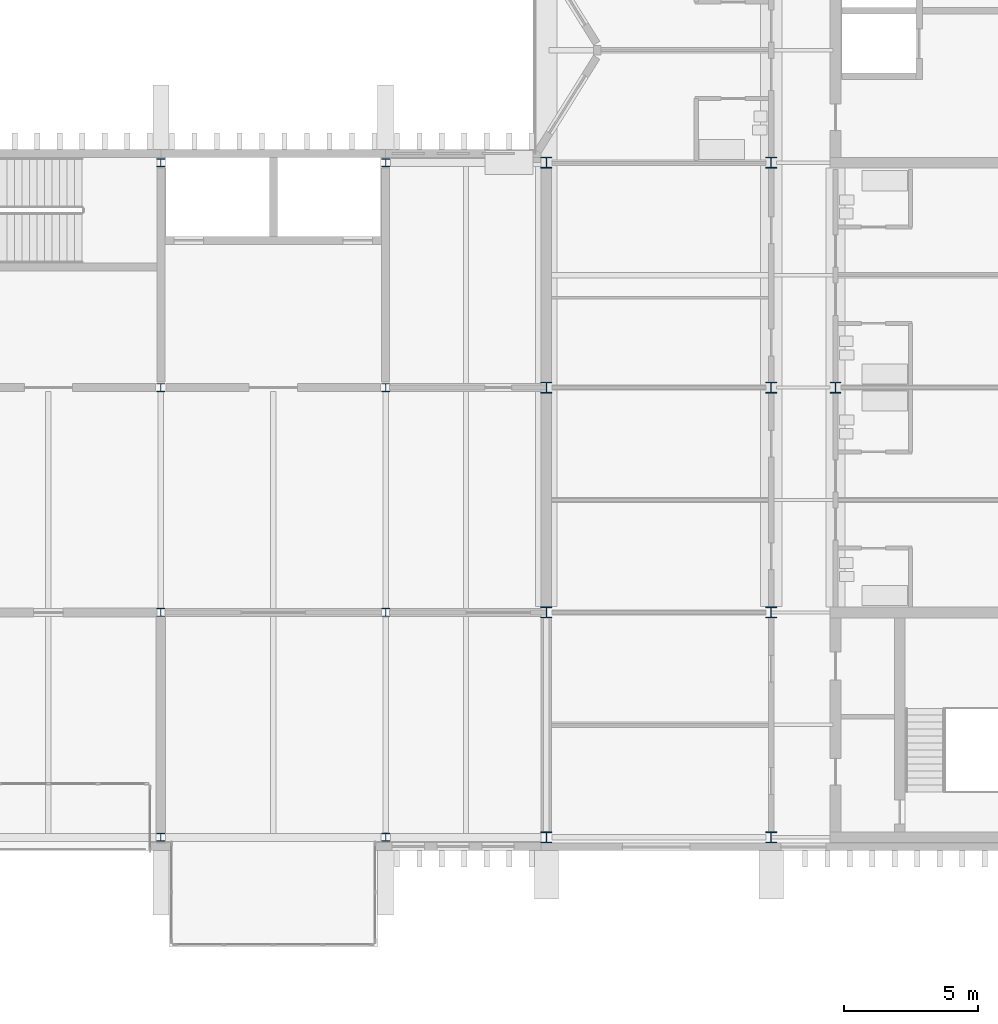
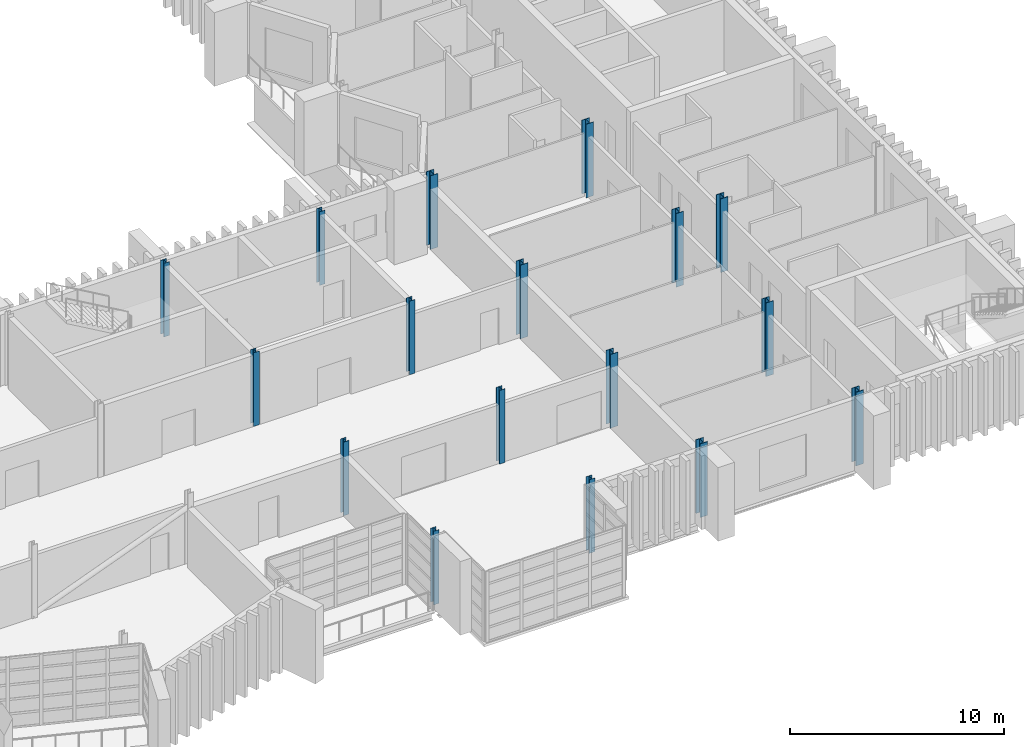
# One storey, part 9 of 100: 17 columns.
"""IFC4 building model written with IfcOpenShell, lengths in metres."""

from ifc_helpers import new_model, si_unit, direction, frame, origin, origin_2d, place, context, subcontext, project, spatial, i_section, extrude, material, material_profile, profile_set, type_object, element, save


model = new_model("IFC4")

# Units and contexts
model_context = context("Model", 3, precision=1e-05, world=origin(), true_north=direction((0.0, 1.0)))
body_context = subcontext(model_context, "Body", "Model", "MODEL_VIEW")
ifc_project = project(units=[si_unit("LENGTHUNIT", "METRE"), si_unit("AREAUNIT", "SQUARE_METRE"), si_unit("VOLUMEUNIT", "CUBIC_METRE"), si_unit("PLANEANGLEUNIT", "RADIAN"), si_unit("MASSUNIT", "GRAM", prefix="KILO")], contexts=[model_context])

# Site, building, storey
site_placement = place(None, origin())
site = spatial("IfcSite", under=ifc_project, at=site_placement, CompositionType="ELEMENT")
building_placement = place(site_placement, origin())
building = spatial("IfcBuilding", under=site, at=building_placement, Name="Cresset Court Congress Hotel", CompositionType="ELEMENT")
storey_placement = place(building_placement, frame((0.0, 0.0, 10.199951171875)))
storey = spatial("IfcBuildingStorey", under=building, at=storey_placement, Name="L02", CompositionType="ELEMENT", Elevation=10.199951171875)

# Columns
ifc_material_1 = material(Name="Structural steel Q355B", Category="steel")
ifc_material_profile_1 = material_profile(ifc_material_1, i_section(OverallWidth=0.300048828125, OverallDepth=0.300048828125, WebThickness=0.010009765625, FlangeThickness=0.014892578125, FilletRadius=0.012939453125, at=origin_2d()), Name="HW300x300x10x15")
ifc_profile_set_1 = profile_set([ifc_material_profile_1], Name="Structural steel Q355B")
column_type_1 = type_object("IfcColumnType", Name="Steel column HW300x300x10x15", PredefinedType="COLUMN", material=ifc_profile_set_1)
for number, where, z_axis, x_axis, name in (
    (1, (142.800048828125, 0.0, 0.0), (0.0, 0.0, 1.0), (1.0, 0.0, 0.0), "B.col.L02.18A"),
    (2, (142.800048828125, 8.39990234375, 0.0), (0.0, 0.0, 1.0), (1.0, 0.0, 0.0), "B.col.L02.18B"),
    (3, (142.800048828125, 16.800048828125, 0.0), (0.0, 0.0, 1.0), (1.0, 0.0, 0.0), "B.col.L02.18C"),
    (4, (142.800048828125, 25.199951171875, 0.0), (0.0, 0.0, 1.0), (1.0, 0.0, 0.0), "B.col.L02.18D"),
    (5, (151.199951171875, 0.0, 0.0), (0.0, 0.0, 1.0), (1.0, 0.0, 0.0), "B.col.L02.19A"),
    (6, (151.199951171875, 8.39990234375, 0.0), (0.0, 0.0, 1.0), (1.0, 0.0, 0.0), "B.col.L02.19B"),
    (7, (151.199951171875, 16.800048828125, 0.0), (0.0, 0.0, 1.0), (1.0, 0.0, 0.0), "B.col.L02.19C"),
    (8, (151.199951171875, 25.199951171875, 0.0), (0.0, 0.0, 1.0), (1.0, 0.0, 0.0), "B.col.L02.19D"),
):
    element("IfcColumn", number, at=place(storey_placement, frame(where, z_axis=z_axis, x_axis=x_axis)), inside=storey, type_object=column_type_1, Name=name, PredefinedType="COLUMN", context=body_context, shape_type="SweptSolid", body=[
        extrude(i_section(OverallWidth=0.300048828125, OverallDepth=0.300048828125, WebThickness=0.010009765625, FlangeThickness=0.014892578125, FilletRadius=0.012939453125, at=origin_2d()), origin(), (0.0, 0.0, 1.0), 4.199951171875),
    ])
ifc_material_2 = material(Name="Structural steel Q355B", Category="steel")
ifc_material_profile_2 = material_profile(ifc_material_2, i_section(OverallWidth=0.405029296875, OverallDepth=0.4140625, WebThickness=0.01806640625, FlangeThickness=0.028076171875, FilletRadius=0.02197265625, at=origin_2d()), Name="HW414x405x18x28")
ifc_profile_set_2 = profile_set([ifc_material_profile_2], Name="Structural steel Q355B")
column_type_2 = type_object("IfcColumnType", Name="Steel column HW414x405x18x28", PredefinedType="COLUMN", material=ifc_profile_set_2)
for number, where, z_axis, x_axis, name in (
    (9, (157.199951171875, 0.0, 0.0), (0.0, 0.0, 1.0), (1.0, 0.0, 0.0), "Column L02 1-20"),
    (10, (157.199951171875, 8.39990234375, 0.0), (0.0, 0.0, 1.0), (1.0, 0.0, 0.0), "Column L02 2-20"),
    (11, (157.199951171875, 16.800048828125, 0.0), (0.0, 0.0, 1.0), (1.0, 0.0, 0.0), "Column L02 3-20"),
    (12, (157.199951171875, 25.199951171875, 0.0), (0.0, 0.0, 1.0), (1.0, 0.0, 0.0), "Column L02 4-20"),
    (13, (165.60009765625, 0.0, 0.0), (0.0, 0.0, 1.0), (1.0, 0.0, 0.0), "Column L02 1-21"),
    (14, (165.60009765625, 8.39990234375, 0.0), (0.0, 0.0, 1.0), (1.0, 0.0, 0.0), "Column L02 2-21"),
    (15, (165.60009765625, 16.800048828125, 0.0), (0.0, 0.0, 1.0), (1.0, 0.0, 0.0), "Column L02 3-21"),
    (16, (165.60009765625, 25.199951171875, 0.0), (0.0, 0.0, 1.0), (1.0, 0.0, 0.0), "Column L02 4-21"),
    (17, (168.0, 16.800048828125, 0.0), (0.0, 0.0, 1.0), (1.0, 0.0, 0.0), "Column L02 3-22"),
):
    element("IfcColumn", number, at=place(storey_placement, frame(where, z_axis=z_axis, x_axis=x_axis)), inside=storey, type_object=column_type_2, Name=name, PredefinedType="COLUMN", context=body_context, shape_type="SweptSolid", body=[
        extrude(i_section(OverallWidth=0.405029296875, OverallDepth=0.4140625, WebThickness=0.01806640625, FlangeThickness=0.028076171875, FilletRadius=0.02197265625, at=origin_2d()), origin(), (0.0, 0.0, 1.0), 4.199951171875),
    ])

save(model, "model.ifc")
